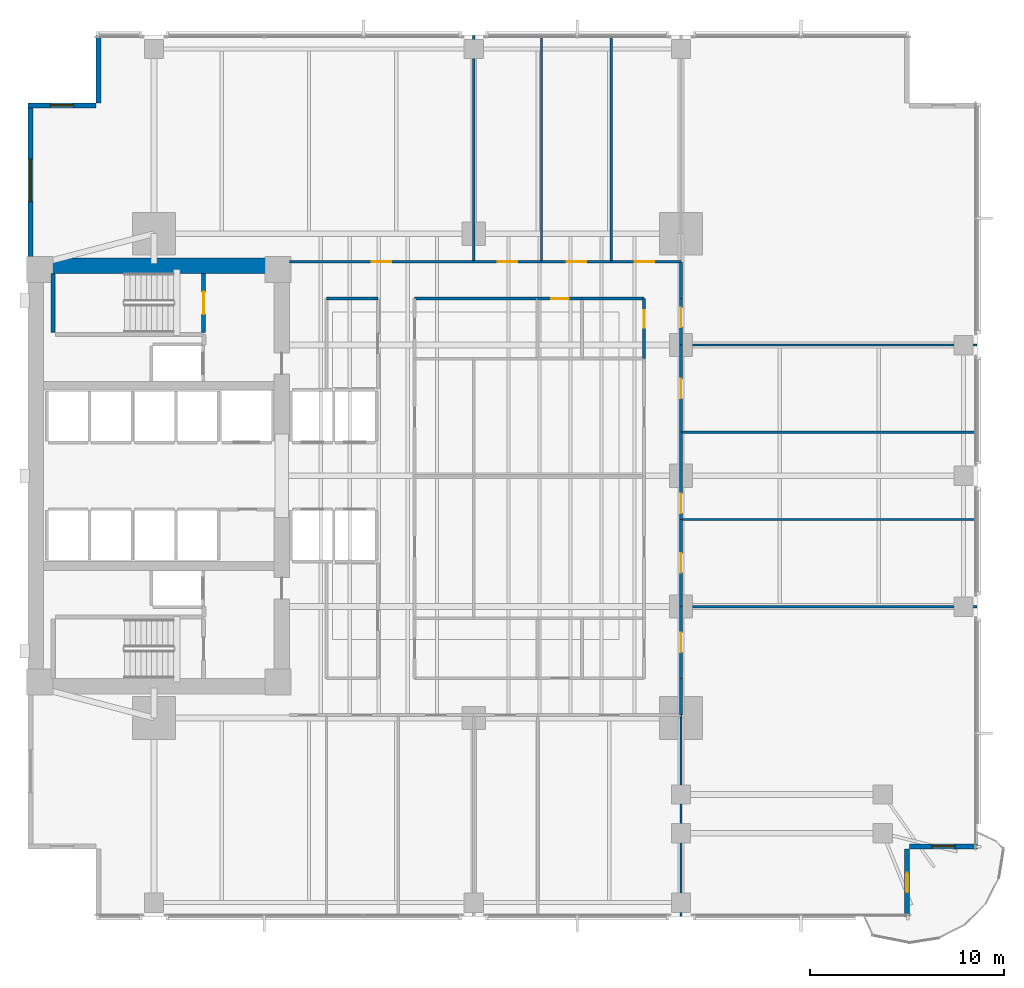
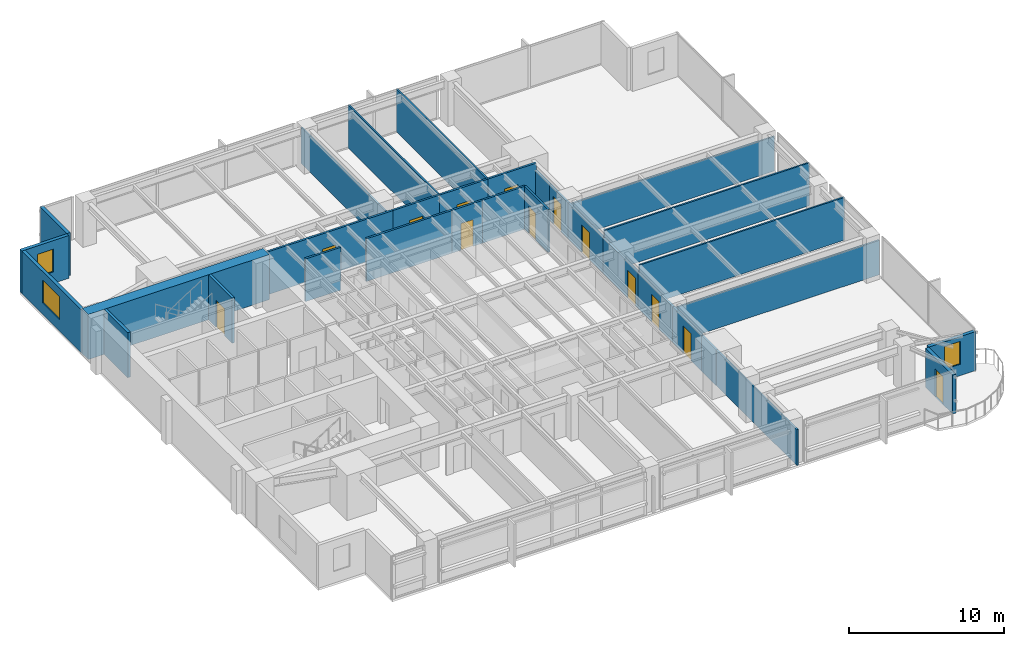
# One storey, part 10 of 16: 32 walls, 13 doors, 3 windows, 16 openings.
"""IFC4 building model written with IfcOpenShell, lengths in metres."""

from ifc_helpers import new_model, si_unit, direction, frame, frame_2d, origin, place, context, subcontext, project, spatial, rectangle, extrude, material, layer, layer_set, type_object, element, fill, save


model = new_model("IFC4")

# Units and contexts
model_context = context("Model", 3, precision=1e-05, world=origin(), true_north=direction((0.0, 1.0)))
body_context = subcontext(model_context, "Body", "Model", "MODEL_VIEW")
ifc_project = project(units=[si_unit("LENGTHUNIT", "METRE"), si_unit("AREAUNIT", "SQUARE_METRE"), si_unit("VOLUMEUNIT", "CUBIC_METRE"), si_unit("PLANEANGLEUNIT", "RADIAN"), si_unit("MASSUNIT", "GRAM", prefix="KILO")], contexts=[model_context])

# Site, building, storey
site_placement = place(None, origin())
site = spatial("IfcSite", under=ifc_project, at=site_placement, CompositionType="ELEMENT")
building_placement = place(site_placement, origin())
building = spatial("IfcBuilding", under=site, at=building_placement, Name="Kinhvarn Gate Tower", CompositionType="ELEMENT")
storey_placement = place(building_placement, frame((0.0, 0.0, 82.39990234375)))
storey = spatial("IfcBuildingStorey", under=building, at=storey_placement, Name="L21", CompositionType="ELEMENT", Elevation=82.39990234375)

# Wall
ifc_material_1 = material(Name="Concrete C70/85", Category="concrete")
ifc_layer_1 = layer(ifc_material_1, 0.800048828125)
ifc_layer_set_1 = layer_set([ifc_layer_1], Name="Concrete C70/85")
wall_type_1 = type_object("IfcWallType", Name="WL-CORE-800", PredefinedType="SHEAR", material=ifc_layer_set_1)
wall_1_placement = place(storey_placement, frame((4.5, 36.10009765625, 0.0), z_axis=(0.0, 0.0, 1.0), x_axis=(1.0, 0.0, 0.0)))
element("IfcWall", 1, at=wall_1_placement, inside=storey, type_object=wall_type_1, Name="Core North Shear Wall L21 800 mm", PredefinedType="SHEAR", context=body_context, shape_type="SweptSolid", body=[
    extrude(rectangle(XDim=13.5, YDim=0.800048828125, at=frame_2d((6.75, 0.0))), origin(), (0.0, 0.0, 1.0), 3.550048828125),
])

# Wall, opening, window
ifc_material_2 = material(Name="Fired architectural terracotta", Category="masonry")
ifc_layer_2 = layer(ifc_material_2, 0.25)
ifc_layer_set_2 = layer_set([ifc_layer_2], Name="Fired architectural terracotta")
wall_type_2 = type_object("IfcWallType", Name="WL-EXT-250", PredefinedType="SOLIDWALL", material=ifc_layer_set_2)
wall_2_placement = place(storey_placement, frame((4.625, 44.5, 0.0), z_axis=(0.0, 0.0, 1.0), x_axis=(0.0, -1.0, 0.0)))
wall_2 = element("IfcWall", 2, at=wall_2_placement, inside=storey, type_object=wall_type_2, Name="Exterior Solidwall Wall EW-250 (L21 West-North)", PredefinedType="SOLIDWALL", context=body_context, shape_type="SweptSolid", body=[
    extrude(rectangle(XDim=8.0, YDim=0.25, at=frame_2d((4.0, 0.0))), origin(), (0.0, 0.0, 1.0), 3.3701171875),
])
opening_1_placement = place(wall_2_placement, frame((2.89990234375, 0.0, 0.89990234375)))
opening_1 = element("IfcOpeningElement", 3, at=opening_1_placement, cuts=wall_2, Name="Opening WN-01", PredefinedType="OPENING", context=body_context, shape_type="SweptSolid", body=[
    extrude(rectangle(XDim=2.199951171875, YDim=1.800048828125, at=frame_2d((1.10009765625, 0.89990234375))), frame((0.0, 0.135009765625, 0.0), z_axis=(0.0, -1.0, 0.0), x_axis=(1.0, 0.0, 0.0)), (0.0, 0.0, 1.0), 0.27001953125),
])
ifc_material_3 = material(Name="Clear low-e double glazing", Category="glass")
window_type_1 = type_object("IfcWindowType", Name="WIN-RIB-2200", PartitioningType="SINGLE_PANEL", PredefinedType="WINDOW", material=ifc_material_3)
window_1_placement = place(opening_1_placement, origin())
window_1 = element("IfcWindow", 4, at=window_1_placement, inside=storey, type_object=window_type_1, Name="West Flank Double-Glazed Ribbon Window 2200x1800 mm (L21)", OverallHeight=1.800048828125, OverallWidth=2.199951171875, PartitioningType="SINGLE_PANEL", PredefinedType="WINDOW", context=body_context, shape_type="SweptSolid", body=[
    extrude(rectangle(XDim=2.199951171875, YDim=1.800048828125, at=frame_2d((1.10009765625, 0.89990234375))), frame((0.0, 0.030029296875, 0.0), z_axis=(0.0, -1.0, 0.0), x_axis=(1.0, 0.0, 0.0)), (0.0, 0.0, 1.0), 0.06005859375),
])
fill(opening_1, window_1)

# Wall, opening, door
wall_3_placement = place(storey_placement, frame((49.875, 2.5, 0.0), z_axis=(0.0, 0.0, 1.0), x_axis=(0.0, 1.0, 0.0)))
wall_3 = element("IfcWall", 5, at=wall_3_placement, inside=storey, type_object=wall_type_2, Name="Exterior Solidwall Wall EW-250 (L21 SE-Notch-Door)", PredefinedType="SOLIDWALL", context=body_context, shape_type="SweptSolid", body=[
    extrude(rectangle(XDim=3.5, YDim=0.25, at=frame_2d((1.75, 0.0))), origin(), (0.0, 0.0, 1.0), 3.070068359375),
])
opening_2_placement = place(wall_3_placement, frame((1.25, 0.0, 0.0)))
opening_2 = element("IfcOpeningElement", 6, at=opening_2_placement, cuts=wall_3, Name="Opening BD-01", PredefinedType="OPENING", context=body_context, shape_type="SweptSolid", body=[
    extrude(rectangle(XDim=1.0, YDim=2.199951171875, at=frame_2d((0.5, 1.10009765625))), frame((0.0, 0.135009765625, 0.0), z_axis=(0.0, -1.0, 0.0), x_axis=(1.0, 0.0, 0.0)), (0.0, 0.0, 1.0), 0.27001953125),
])
door_type_1 = type_object("IfcDoorType", Name="DR-BAL-1000", OperationType="NOTDEFINED", PredefinedType="DOOR", material=ifc_material_3)
door_1_placement = place(opening_2_placement, frame((1.0, 0.0, 0.0), z_axis=(0.0, 0.0, 1.0), x_axis=(-1.0, 0.0, 0.0)))
door_1 = element("IfcDoor", 7, at=door_1_placement, inside=storey, type_object=door_type_1, Name="S-Carve Balcony Door BD-01 (L21)", OperationType="SINGLE_SWING_LEFT", OverallHeight=2.199951171875, OverallWidth=1.0, PredefinedType="DOOR", context=body_context, shape_type="SweptSolid", body=[
    extrude(rectangle(XDim=1.0, YDim=2.199951171875, at=frame_2d((0.5, 1.10009765625))), frame((0.0, 0.02490234375, 0.0), z_axis=(0.0, -1.0, 0.0), x_axis=(1.0, 0.0, 0.0)), (0.0, 0.0, 1.0), 0.050048828125),
])
fill(opening_2, door_1)

# Wall, opening, window
wall_4_placement = place(storey_placement, frame((50.0, 6.125, 0.0), z_axis=(0.0, 0.0, 1.0), x_axis=(1.0, 0.0, 0.0)))
wall_4 = element("IfcWall", 8, at=wall_4_placement, inside=storey, type_object=wall_type_2, Name="Exterior Solidwall Wall EW-250 (L21 SE-Notch-Win)", PredefinedType="SOLIDWALL", context=body_context, shape_type="SweptSolid", body=[
    extrude(rectangle(XDim=3.5, YDim=0.25, at=frame_2d((1.75, 0.0))), origin(), (0.0, 0.0, 1.0), 3.070068359375),
])
opening_3_placement = place(wall_4_placement, frame((1.14990234375, 0.0, 0.89990234375)))
opening_3 = element("IfcOpeningElement", 9, at=opening_3_placement, cuts=wall_4, Name="Opening WN-02", PredefinedType="OPENING", context=body_context, shape_type="SweptSolid", body=[
    extrude(rectangle(XDim=1.199951171875, YDim=1.800048828125, at=frame_2d((0.60009765625, 0.89990234375))), frame((0.0, 0.135009765625, 0.0), z_axis=(0.0, -1.0, 0.0), x_axis=(1.0, 0.0, 0.0)), (0.0, 0.0, 1.0), 0.27001953125),
])
window_type_2 = type_object("IfcWindowType", Name="WIN-NTC-1200", PartitioningType="SINGLE_PANEL", PredefinedType="WINDOW", material=ifc_material_3)
window_2_placement = place(opening_3_placement, origin())
window_2 = element("IfcWindow", 10, at=window_2_placement, inside=storey, type_object=window_type_2, Name="Recessed Corner Notch Punched Window 1200x1800 mm (L21)", OverallHeight=1.800048828125, OverallWidth=1.199951171875, PartitioningType="SINGLE_PANEL", PredefinedType="WINDOW", context=body_context, shape_type="SweptSolid", body=[
    extrude(rectangle(XDim=1.199951171875, YDim=1.800048828125, at=frame_2d((0.60009765625, 0.89990234375))), frame((0.0, 0.030029296875, 0.0), z_axis=(0.0, -1.0, 0.0), x_axis=(1.0, 0.0, 0.0)), (0.0, 0.0, 1.0), 0.06005859375),
])
fill(opening_3, window_2)

# Wall
wall_5_placement = place(storey_placement, frame((8.125, 48.0, 0.0), z_axis=(0.0, 0.0, 1.0), x_axis=(0.0, -1.0, 0.0)))
element("IfcWall", 11, at=wall_5_placement, inside=storey, type_object=wall_type_2, Name="Exterior Solidwall Wall EW-250 (L21 NW-Notch-1)", PredefinedType="SOLIDWALL", context=body_context, shape_type="SweptSolid", body=[
    extrude(rectangle(XDim=3.5, YDim=0.25, at=frame_2d((1.75, 0.0))), origin(), (0.0, 0.0, 1.0), 3.3701171875),
])

# Wall, opening, window
wall_6_placement = place(storey_placement, frame((8.0, 44.375, 0.0), z_axis=(0.0, 0.0, 1.0), x_axis=(-1.0, 0.0, 0.0)))
wall_6 = element("IfcWall", 12, at=wall_6_placement, inside=storey, type_object=wall_type_2, Name="Exterior Solidwall Wall EW-250 (L21 NW-Notch-2)", PredefinedType="SOLIDWALL", context=body_context, shape_type="SweptSolid", body=[
    extrude(rectangle(XDim=3.5, YDim=0.25, at=frame_2d((1.75, 0.0))), origin(), (0.0, 0.0, 1.0), 3.3701171875),
])
opening_4_placement = place(wall_6_placement, frame((1.14990234375, 0.0, 0.89990234375)))
opening_4 = element("IfcOpeningElement", 13, at=opening_4_placement, cuts=wall_6, Name="Opening WN-02", PredefinedType="OPENING", context=body_context, shape_type="SweptSolid", body=[
    extrude(rectangle(XDim=1.199951171875, YDim=1.800048828125, at=frame_2d((0.60009765625, 0.89990234375))), frame((0.0, 0.135009765625, 0.0), z_axis=(0.0, -1.0, 0.0), x_axis=(1.0, 0.0, 0.0)), (0.0, 0.0, 1.0), 0.27001953125),
])
window_3_placement = place(opening_4_placement, origin())
window_3 = element("IfcWindow", 14, at=window_3_placement, inside=storey, type_object=window_type_2, Name="Recessed Corner Notch Punched Window 1200x1800 mm (L21)", OverallHeight=1.800048828125, OverallWidth=1.199951171875, PartitioningType="SINGLE_PANEL", PredefinedType="WINDOW", context=body_context, shape_type="SweptSolid", body=[
    extrude(rectangle(XDim=1.199951171875, YDim=1.800048828125, at=frame_2d((0.60009765625, 0.89990234375))), frame((0.0, 0.030029296875, 0.0), z_axis=(0.0, -1.0, 0.0), x_axis=(1.0, 0.0, 0.0)), (0.0, 0.0, 1.0), 0.06005859375),
])
fill(opening_4, window_3)

# Wall
ifc_material_4 = material(Name="Gypsum acoustic partition board")
ifc_layer_3 = layer(ifc_material_4, 0.14990234375)
ifc_layer_set_3 = layer_set([ifc_layer_3], Name="Gypsum acoustic partition board")
wall_type_3 = type_object("IfcWallType", Name="WL-PLM-150F", PredefinedType="PLUMBINGWALL", material=ifc_layer_set_3)
wall_7_placement = place(storey_placement, frame((33.10009765625, 34.39990234375, 0.0), z_axis=(0.0, 0.0, 1.0), x_axis=(1.0, 0.0, 0.0)))
element("IfcWall", 15, at=wall_7_placement, inside=storey, type_object=wall_type_3, Name="Interior Partition PLW-150F (L21)", PredefinedType="PLUMBINGWALL", context=body_context, shape_type="SweptSolid", body=[
    extrude(rectangle(XDim=3.199951171875, YDim=0.14990234375, at=frame_2d((1.60009765625, 0.0))), origin(), (0.0, 0.0, 1.0), 3.3701171875),
])

# Wall, opening, door
wall_8_placement = place(storey_placement, frame((30.800048828125, 34.39990234375, 0.0), z_axis=(0.0, 0.0, 1.0), x_axis=(1.0, 0.0, 0.0)))
wall_8 = element("IfcWall", 16, at=wall_8_placement, inside=storey, type_object=wall_type_3, Name="Interior Partition PLW-150F (L21)", PredefinedType="PLUMBINGWALL", context=body_context, shape_type="SweptSolid", body=[
    extrude(rectangle(XDim=2.300048828125, YDim=0.14990234375, at=frame_2d((1.14990234375, 0.0))), origin(), (0.0, 0.0, 1.0), 3.3701171875),
])
opening_5_placement = place(wall_8_placement, frame((0.699951171875, 0.0, 0.0)))
opening_5 = element("IfcOpeningElement", 17, at=opening_5_placement, cuts=wall_8, Name="Opening FD-04", PredefinedType="OPENING", context=body_context, shape_type="SweptSolid", body=[
    extrude(rectangle(XDim=0.89990234375, YDim=2.10009765625, at=frame_2d((0.449951171875, 1.050048828125))), frame((0.0, 0.0849609375, 0.0), z_axis=(0.0, -1.0, 0.0), x_axis=(1.0, 0.0, 0.0)), (0.0, 0.0, 1.0), 0.169921875),
])
ifc_material_5 = material(Name="Anodised aluminium AW-6063", Category="aluminium")
door_type_2 = type_object("IfcDoorType", Name="DR-FD-900", OperationType="NOTDEFINED", PredefinedType="DOOR", material=ifc_material_5)
door_2_placement = place(opening_5_placement, origin())
door_2 = element("IfcDoor", 18, at=door_2_placement, inside=storey, type_object=door_type_2, Name="Rated Riser & Service Closet Fire Door 900x2100 mm (L21)", OperationType="SINGLE_SWING_RIGHT", OverallHeight=2.10009765625, OverallWidth=0.89990234375, PredefinedType="DOOR", context=body_context, shape_type="SweptSolid", body=[
    extrude(rectangle(XDim=0.89990234375, YDim=2.10009765625, at=frame_2d((0.449951171875, 1.050048828125))), frame((0.0, 0.02490234375, 0.0), z_axis=(0.0, -1.0, 0.0), x_axis=(1.0, 0.0, 0.0)), (0.0, 0.0, 1.0), 0.050048828125),
])
fill(opening_5, door_2)

wall_9_placement = place(storey_placement, frame((36.300048828125, 31.300048828125, 0.0), z_axis=(0.0, 0.0, 1.0), x_axis=(0.0, 1.0, 0.0)))
wall_9 = element("IfcWall", 19, at=wall_9_placement, inside=storey, type_object=wall_type_3, Name="Interior Partition PLW-150F (L21)", PredefinedType="PLUMBINGWALL", context=body_context, shape_type="SweptSolid", body=[
    extrude(rectangle(XDim=3.099853515625, YDim=0.14990234375, at=frame_2d((1.5498046875, 0.0))), origin(), (0.0, 0.0, 1.0), 3.3701171875),
])
opening_6_placement = place(wall_9_placement, frame((1.594970703125, 0.0, 0.0)))
opening_6 = element("IfcOpeningElement", 20, at=opening_6_placement, cuts=wall_9, Name="Opening FD-04", PredefinedType="OPENING", context=body_context, shape_type="SweptSolid", body=[
    extrude(rectangle(XDim=0.89990234375, YDim=2.10009765625, at=frame_2d((0.449951171875, 1.050048828125))), frame((0.0, 0.0849609375, 0.0), z_axis=(0.0, -1.0, 0.0), x_axis=(1.0, 0.0, 0.0)), (0.0, 0.0, 1.0), 0.169921875),
])
door_3_placement = place(opening_6_placement, origin())
door_3 = element("IfcDoor", 21, at=door_3_placement, inside=storey, type_object=door_type_2, Name="Rated Riser & Service Closet Fire Door 900x2100 mm (L21)", OperationType="SINGLE_SWING_RIGHT", OverallHeight=2.10009765625, OverallWidth=0.89990234375, PredefinedType="DOOR", context=body_context, shape_type="SweptSolid", body=[
    extrude(rectangle(XDim=0.89990234375, YDim=2.10009765625, at=frame_2d((0.449951171875, 1.050048828125))), frame((0.0, 0.02490234375, 0.0), z_axis=(0.0, -1.0, 0.0), x_axis=(1.0, 0.0, 0.0)), (0.0, 0.0, 1.0), 0.050048828125),
])
fill(opening_6, door_3)

# Walls
ifc_layer_4 = layer(ifc_material_4, 0.1201171875)
ifc_layer_set_4 = layer_set([ifc_layer_4], Name="Gypsum acoustic partition board")
wall_type_4 = type_object("IfcWallType", Name="WL-PRT-120", PredefinedType="PARTITIONING", material=ifc_layer_set_4)
wall_10_placement = place(storey_placement, frame((38.199951171875, 2.510009765625, 0.0), z_axis=(0.0, 0.0, 1.0), x_axis=(0.0, 1.0, 0.0)))
element("IfcWall", 22, at=wall_10_placement, inside=storey, type_object=wall_type_4, Name="Interior Partition PW-120 (L21)", PredefinedType="PARTITIONING", context=body_context, shape_type="SweptSolid", body=[
    extrude(rectangle(XDim=10.389892578125, YDim=0.1201171875, at=frame_2d((5.19482421875, 0.0))), origin(), (0.0, 0.0, 1.0), 2.820068359375),
])
wall_11_placement = place(storey_placement, frame((27.5, 36.300048828125, 0.0), z_axis=(0.0, 0.0, 1.0), x_axis=(0.0, 1.0, 0.0)))
element("IfcWall", 23, at=wall_11_placement, inside=storey, type_object=wall_type_4, Name="Interior Partition PW-120 (L21)", PredefinedType="PARTITIONING", context=body_context, shape_type="SweptSolid", body=[
    extrude(rectangle(XDim=11.68994140625, YDim=0.1201171875, at=frame_2d((5.844970703125, 0.0))), origin(), (0.0, 0.0, 1.0), 2.820068359375),
])
for number, where, z_axis, x_axis, name in (
    (24, (31.0, 36.300048828125, 0.0), (0.0, 0.0, 1.0), (0.0, 1.0, 0.0), "Interior Partition PW-120 (L21)"),
    (25, (34.60009765625, 36.300048828125, 0.0), (0.0, 0.0, 1.0), (0.0, 1.0, 0.0), "Interior Partition PW-120 (L21)"),
):
    element("IfcWall", number, at=place(storey_placement, frame(where, z_axis=z_axis, x_axis=x_axis)), inside=storey, type_object=wall_type_4, Name=name, PredefinedType="PARTITIONING", context=body_context, shape_type="SweptSolid", body=[
        extrude(rectangle(XDim=11.68994140625, YDim=0.1201171875, at=frame_2d((5.844970703125, 0.0))), origin(), (0.0, 0.0, 1.0), 3.3701171875),
    ])
wall_12_placement = place(storey_placement, frame((38.199951171875, 18.5, 0.0), z_axis=(0.0, 0.0, 1.0), x_axis=(1.0, 0.0, 0.0)))
element("IfcWall", 26, at=wall_12_placement, inside=storey, type_object=wall_type_4, Name="Interior Partition PW-120 (L21)", PredefinedType="PARTITIONING", context=body_context, shape_type="SweptSolid", body=[
    extrude(rectangle(XDim=15.2900390625, YDim=0.1201171875, at=frame_2d((7.64501953125, 0.0))), origin(), (0.0, 0.0, 1.0), 2.72021484375),
])
for number, where, z_axis, x_axis, name in (
    (27, (38.199951171875, 23.0, 0.0), (0.0, 0.0, 1.0), (1.0, 0.0, 0.0), "Interior Partition PW-120 (L21)"),
    (28, (38.199951171875, 27.5, 0.0), (0.0, 0.0, 1.0), (1.0, 0.0, 0.0), "Interior Partition PW-120 (L21)"),
):
    element("IfcWall", number, at=place(storey_placement, frame(where, z_axis=z_axis, x_axis=x_axis)), inside=storey, type_object=wall_type_4, Name=name, PredefinedType="PARTITIONING", context=body_context, shape_type="SweptSolid", body=[
        extrude(rectangle(XDim=15.2900390625, YDim=0.1201171875, at=frame_2d((7.64501953125, 0.0))), origin(), (0.0, 0.0, 1.0), 3.3701171875),
    ])
wall_13_placement = place(storey_placement, frame((38.199951171875, 32.0, 0.0), z_axis=(0.0, 0.0, 1.0), x_axis=(1.0, 0.0, 0.0)))
element("IfcWall", 29, at=wall_13_placement, inside=storey, type_object=wall_type_4, Name="Interior Partition PW-120 (L21)", PredefinedType="PARTITIONING", context=body_context, shape_type="SweptSolid", body=[
    extrude(rectangle(XDim=15.2900390625, YDim=0.1201171875, at=frame_2d((7.64501953125, 0.0))), origin(), (0.0, 0.0, 1.0), 2.72021484375),
])
ifc_layer_5 = layer(ifc_material_4, 0.14990234375)
ifc_layer_set_5 = layer_set([ifc_layer_5], Name="Gypsum acoustic partition board")
wall_type_5 = type_object("IfcWallType", Name="WL-PRT-150F", PredefinedType="PARTITIONING", material=ifc_layer_set_5)
wall_14_placement = place(storey_placement, frame((38.199951171875, 12.89990234375, 0.0), z_axis=(0.0, 0.0, 1.0), x_axis=(0.0, 1.0, 0.0)))
element("IfcWall", 30, at=wall_14_placement, inside=storey, type_object=wall_type_5, Name="Interior Partition PW-150F (L21)", PredefinedType="PARTITIONING", context=body_context, shape_type="SweptSolid", body=[
    extrude(rectangle(XDim=1.900146484375, YDim=0.14990234375, at=frame_2d((0.9501953125, 0.0))), origin(), (0.0, 0.0, 1.0), 2.820068359375),
])
wall_15_placement = place(storey_placement, frame((19.89990234375, 34.39990234375, 0.0), z_axis=(0.0, 0.0, 1.0), x_axis=(1.0, 0.0, 0.0)))
element("IfcWall", 31, at=wall_15_placement, inside=storey, type_object=wall_type_5, Name="Interior Partition PW-150F (L21)", PredefinedType="PARTITIONING", context=body_context, shape_type="SweptSolid", body=[
    extrude(rectangle(XDim=2.650146484375, YDim=0.14990234375, at=frame_2d((1.3251953125, 0.0))), origin(), (0.0, 0.0, 1.0), 3.3701171875),
])
wall_16_placement = place(storey_placement, frame((24.449951171875, 34.39990234375, 0.0), z_axis=(0.0, 0.0, 1.0), x_axis=(1.0, 0.0, 0.0)))
element("IfcWall", 32, at=wall_16_placement, inside=storey, type_object=wall_type_5, Name="Interior Partition PW-150F (L21)", PredefinedType="PARTITIONING", context=body_context, shape_type="SweptSolid", body=[
    extrude(rectangle(XDim=6.35009765625, YDim=0.14990234375, at=frame_2d((3.175048828125, 0.0))), origin(), (0.0, 0.0, 1.0), 3.3701171875),
])

# Wall, opening, door
wall_17_placement = place(storey_placement, frame((18.0, 36.300048828125, 0.0), z_axis=(0.0, 0.0, 1.0), x_axis=(1.0, 0.0, 0.0)))
wall_17 = element("IfcWall", 33, at=wall_17_placement, inside=storey, type_object=wall_type_5, Name="Interior Partition PW-150F (L21)", PredefinedType="PARTITIONING", context=body_context, shape_type="SweptSolid", body=[
    extrude(rectangle(XDim=9.5, YDim=0.14990234375, at=frame_2d((4.75, 0.0))), origin(), (0.0, 0.0, 1.0), 3.3701171875),
])
opening_7_placement = place(wall_17_placement, frame((4.25, 0.0, 0.0)))
opening_7 = element("IfcOpeningElement", 34, at=opening_7_placement, cuts=wall_17, Name="Opening ID-02", PredefinedType="OPENING", context=body_context, shape_type="SweptSolid", body=[
    extrude(rectangle(XDim=1.0, YDim=2.14990234375, at=frame_2d((0.5, 1.074951171875))), frame((0.0, 0.0849609375, 0.0), z_axis=(0.0, -1.0, 0.0), x_axis=(1.0, 0.0, 0.0)), (0.0, 0.0, 1.0), 0.169921875),
])
door_type_3 = type_object("IfcDoorType", Name="DR-INT-1000", OperationType="NOTDEFINED", PredefinedType="DOOR", material=ifc_material_5)
door_4_placement = place(opening_7_placement, origin())
door_4 = element("IfcDoor", 35, at=door_4_placement, inside=storey, type_object=door_type_3, Name="Standard Office & Meeting Room Door 1000x2150 mm (L21)", OperationType="SINGLE_SWING_LEFT", OverallHeight=2.14990234375, OverallWidth=1.0, PredefinedType="DOOR", context=body_context, shape_type="SweptSolid", body=[
    extrude(rectangle(XDim=1.0, YDim=2.14990234375, at=frame_2d((0.5, 1.074951171875))), frame((0.0, 0.02490234375, 0.0), z_axis=(0.0, -1.0, 0.0), x_axis=(1.0, 0.0, 0.0)), (0.0, 0.0, 1.0), 0.050048828125),
])
fill(opening_7, door_4)

wall_18_placement = place(storey_placement, frame((27.5, 36.300048828125, 0.0), z_axis=(0.0, 0.0, 1.0), x_axis=(1.0, 0.0, 0.0)))
wall_18 = element("IfcWall", 36, at=wall_18_placement, inside=storey, type_object=wall_type_5, Name="Interior Partition PW-150F (L21)", PredefinedType="PARTITIONING", context=body_context, shape_type="SweptSolid", body=[
    extrude(rectangle(XDim=3.5, YDim=0.14990234375, at=frame_2d((1.75, 0.0))), origin(), (0.0, 0.0, 1.0), 3.3701171875),
])
opening_8_placement = place(wall_18_placement, frame((1.25, 0.0, 0.0)))
opening_8 = element("IfcOpeningElement", 37, at=opening_8_placement, cuts=wall_18, Name="Opening ID-02", PredefinedType="OPENING", context=body_context, shape_type="SweptSolid", body=[
    extrude(rectangle(XDim=1.0, YDim=2.14990234375, at=frame_2d((0.5, 1.074951171875))), frame((0.0, 0.0849609375, 0.0), z_axis=(0.0, -1.0, 0.0), x_axis=(1.0, 0.0, 0.0)), (0.0, 0.0, 1.0), 0.169921875),
])
door_5_placement = place(opening_8_placement, origin())
door_5 = element("IfcDoor", 38, at=door_5_placement, inside=storey, type_object=door_type_3, Name="Standard Office & Meeting Room Door 1000x2150 mm (L21)", OperationType="SINGLE_SWING_RIGHT", OverallHeight=2.14990234375, OverallWidth=1.0, PredefinedType="DOOR", context=body_context, shape_type="SweptSolid", body=[
    extrude(rectangle(XDim=1.0, YDim=2.14990234375, at=frame_2d((0.5, 1.074951171875))), frame((0.0, 0.02490234375, 0.0), z_axis=(0.0, -1.0, 0.0), x_axis=(1.0, 0.0, 0.0)), (0.0, 0.0, 1.0), 0.050048828125),
])
fill(opening_8, door_5)

wall_19_placement = place(storey_placement, frame((31.0, 36.300048828125, 0.0), z_axis=(0.0, 0.0, 1.0), x_axis=(1.0, 0.0, 0.0)))
wall_19 = element("IfcWall", 39, at=wall_19_placement, inside=storey, type_object=wall_type_5, Name="Interior Partition PW-150F (L21)", PredefinedType="PARTITIONING", context=body_context, shape_type="SweptSolid", body=[
    extrude(rectangle(XDim=3.60009765625, YDim=0.14990234375, at=frame_2d((1.800048828125, 0.0))), origin(), (0.0, 0.0, 1.0), 3.3701171875),
])
opening_9_placement = place(wall_19_placement, frame((1.300048828125, 0.0, 0.0)))
opening_9 = element("IfcOpeningElement", 40, at=opening_9_placement, cuts=wall_19, Name="Opening ID-02", PredefinedType="OPENING", context=body_context, shape_type="SweptSolid", body=[
    extrude(rectangle(XDim=1.0, YDim=2.14990234375, at=frame_2d((0.5, 1.074951171875))), frame((0.0, 0.0849609375, 0.0), z_axis=(0.0, -1.0, 0.0), x_axis=(1.0, 0.0, 0.0)), (0.0, 0.0, 1.0), 0.169921875),
])
door_6_placement = place(opening_9_placement, origin())
door_6 = element("IfcDoor", 41, at=door_6_placement, inside=storey, type_object=door_type_3, Name="Standard Office & Meeting Room Door 1000x2150 mm (L21)", OperationType="SINGLE_SWING_LEFT", OverallHeight=2.14990234375, OverallWidth=1.0, PredefinedType="DOOR", context=body_context, shape_type="SweptSolid", body=[
    extrude(rectangle(XDim=1.0, YDim=2.14990234375, at=frame_2d((0.5, 1.074951171875))), frame((0.0, 0.02490234375, 0.0), z_axis=(0.0, -1.0, 0.0), x_axis=(1.0, 0.0, 0.0)), (0.0, 0.0, 1.0), 0.050048828125),
])
fill(opening_9, door_6)

wall_20_placement = place(storey_placement, frame((34.60009765625, 36.300048828125, 0.0), z_axis=(0.0, 0.0, 1.0), x_axis=(1.0, 0.0, 0.0)))
wall_20 = element("IfcWall", 42, at=wall_20_placement, inside=storey, type_object=wall_type_5, Name="Interior Partition PW-150F (L21)", PredefinedType="PARTITIONING", context=body_context, shape_type="SweptSolid", body=[
    extrude(rectangle(XDim=3.599853515625, YDim=0.14990234375, at=frame_2d((1.7998046875, 0.0))), origin(), (0.0, 0.0, 1.0), 3.3701171875),
])
opening_10_placement = place(wall_20_placement, frame((1.22509765625, 0.0, 0.0)))
opening_10 = element("IfcOpeningElement", 43, at=opening_10_placement, cuts=wall_20, Name="Opening ID-02", PredefinedType="OPENING", context=body_context, shape_type="SweptSolid", body=[
    extrude(rectangle(XDim=1.0, YDim=2.14990234375, at=frame_2d((0.5, 1.074951171875))), frame((0.0, 0.0849609375, 0.0), z_axis=(0.0, -1.0, 0.0), x_axis=(1.0, 0.0, 0.0)), (0.0, 0.0, 1.0), 0.169921875),
])
door_7_placement = place(opening_10_placement, origin())
door_7 = element("IfcDoor", 44, at=door_7_placement, inside=storey, type_object=door_type_3, Name="Standard Office & Meeting Room Door 1000x2150 mm (L21)", OperationType="SINGLE_SWING_RIGHT", OverallHeight=2.14990234375, OverallWidth=1.0, PredefinedType="DOOR", context=body_context, shape_type="SweptSolid", body=[
    extrude(rectangle(XDim=1.0, YDim=2.14990234375, at=frame_2d((0.5, 1.074951171875))), frame((0.0, 0.02490234375, 0.0), z_axis=(0.0, -1.0, 0.0), x_axis=(1.0, 0.0, 0.0)), (0.0, 0.0, 1.0), 0.050048828125),
])
fill(opening_10, door_7)

# Wall
wall_21_placement = place(storey_placement, frame((38.199951171875, 34.39990234375, 0.0), z_axis=(0.0, 0.0, 1.0), x_axis=(0.0, 1.0, 0.0)))
element("IfcWall", 45, at=wall_21_placement, inside=storey, type_object=wall_type_5, Name="Interior Partition PW-150F (L21)", PredefinedType="PARTITIONING", context=body_context, shape_type="SweptSolid", body=[
    extrude(rectangle(XDim=1.900146484375, YDim=0.14990234375, at=frame_2d((0.9501953125, 0.0))), origin(), (0.0, 0.0, 1.0), 2.820068359375),
])

# Wall, opening, door
wall_22_placement = place(storey_placement, frame((38.199951171875, 14.800048828125, 0.0), z_axis=(0.0, 0.0, 1.0), x_axis=(0.0, 1.0, 0.0)))
wall_22 = element("IfcWall", 46, at=wall_22_placement, inside=storey, type_object=wall_type_5, Name="Interior Partition PW-150F (L21)", PredefinedType="PARTITIONING", context=body_context, shape_type="SweptSolid", body=[
    extrude(rectangle(XDim=3.699951171875, YDim=0.14990234375, at=frame_2d((1.85009765625, 0.0))), origin(), (0.0, 0.0, 1.0), 2.820068359375),
])
opening_11_placement = place(wall_22_placement, frame((1.35009765625, 0.0, 0.0)))
opening_11 = element("IfcOpeningElement", 47, at=opening_11_placement, cuts=wall_22, Name="Opening ID-02", PredefinedType="OPENING", context=body_context, shape_type="SweptSolid", body=[
    extrude(rectangle(XDim=1.0, YDim=2.14990234375, at=frame_2d((0.5, 1.074951171875))), frame((0.0, 0.0849609375, 0.0), z_axis=(0.0, -1.0, 0.0), x_axis=(1.0, 0.0, 0.0)), (0.0, 0.0, 1.0), 0.169921875),
])
door_8_placement = place(opening_11_placement, origin())
door_8 = element("IfcDoor", 48, at=door_8_placement, inside=storey, type_object=door_type_3, Name="Standard Office & Meeting Room Door 1000x2150 mm (L21)", OperationType="SINGLE_SWING_LEFT", OverallHeight=2.14990234375, OverallWidth=1.0, PredefinedType="DOOR", context=body_context, shape_type="SweptSolid", body=[
    extrude(rectangle(XDim=1.0, YDim=2.14990234375, at=frame_2d((0.5, 1.074951171875))), frame((0.0, 0.02490234375, 0.0), z_axis=(0.0, -1.0, 0.0), x_axis=(1.0, 0.0, 0.0)), (0.0, 0.0, 1.0), 0.050048828125),
])
fill(opening_11, door_8)

wall_23_placement = place(storey_placement, frame((38.199951171875, 18.5, 0.0), z_axis=(0.0, 0.0, 1.0), x_axis=(0.0, 1.0, 0.0)))
wall_23 = element("IfcWall", 49, at=wall_23_placement, inside=storey, type_object=wall_type_5, Name="Interior Partition PW-150F (L21)", PredefinedType="PARTITIONING", context=body_context, shape_type="SweptSolid", body=[
    extrude(rectangle(XDim=4.5, YDim=0.14990234375, at=frame_2d((2.25, 0.0))), origin(), (0.0, 0.0, 1.0), 2.820068359375),
])
opening_12_placement = place(wall_23_placement, frame((1.75, 0.0, 0.0)))
opening_12 = element("IfcOpeningElement", 50, at=opening_12_placement, cuts=wall_23, Name="Opening ID-02", PredefinedType="OPENING", context=body_context, shape_type="SweptSolid", body=[
    extrude(rectangle(XDim=1.0, YDim=2.14990234375, at=frame_2d((0.5, 1.074951171875))), frame((0.0, 0.0849609375, 0.0), z_axis=(0.0, -1.0, 0.0), x_axis=(1.0, 0.0, 0.0)), (0.0, 0.0, 1.0), 0.169921875),
])
door_9_placement = place(opening_12_placement, origin())
door_9 = element("IfcDoor", 51, at=door_9_placement, inside=storey, type_object=door_type_3, Name="Standard Office & Meeting Room Door 1000x2150 mm (L21)", OperationType="SINGLE_SWING_RIGHT", OverallHeight=2.14990234375, OverallWidth=1.0, PredefinedType="DOOR", context=body_context, shape_type="SweptSolid", body=[
    extrude(rectangle(XDim=1.0, YDim=2.14990234375, at=frame_2d((0.5, 1.074951171875))), frame((0.0, 0.02490234375, 0.0), z_axis=(0.0, -1.0, 0.0), x_axis=(1.0, 0.0, 0.0)), (0.0, 0.0, 1.0), 0.050048828125),
])
fill(opening_12, door_9)

wall_24_placement = place(storey_placement, frame((38.199951171875, 23.0, 0.0), z_axis=(0.0, 0.0, 1.0), x_axis=(0.0, 1.0, 0.0)))
wall_24 = element("IfcWall", 52, at=wall_24_placement, inside=storey, type_object=wall_type_5, Name="Interior Partition PW-150F (L21)", PredefinedType="PARTITIONING", context=body_context, shape_type="SweptSolid", body=[
    extrude(rectangle(XDim=4.5, YDim=0.14990234375, at=frame_2d((2.25, 0.0))), origin(), (0.0, 0.0, 1.0), 2.820068359375),
])
opening_13_placement = place(wall_24_placement, frame((0.330078125, 0.0, 0.0)))
opening_13 = element("IfcOpeningElement", 53, at=opening_13_placement, cuts=wall_24, Name="Opening ID-02", PredefinedType="OPENING", context=body_context, shape_type="SweptSolid", body=[
    extrude(rectangle(XDim=1.0, YDim=2.14990234375, at=frame_2d((0.5, 1.074951171875))), frame((0.0, 0.0849609375, 0.0), z_axis=(0.0, -1.0, 0.0), x_axis=(1.0, 0.0, 0.0)), (0.0, 0.0, 1.0), 0.169921875),
])
door_10_placement = place(opening_13_placement, origin())
door_10 = element("IfcDoor", 54, at=door_10_placement, inside=storey, type_object=door_type_3, Name="Standard Office & Meeting Room Door 1000x2150 mm (L21)", OperationType="SINGLE_SWING_LEFT", OverallHeight=2.14990234375, OverallWidth=1.0, PredefinedType="DOOR", context=body_context, shape_type="SweptSolid", body=[
    extrude(rectangle(XDim=1.0, YDim=2.14990234375, at=frame_2d((0.5, 1.074951171875))), frame((0.0, 0.02490234375, 0.0), z_axis=(0.0, -1.0, 0.0), x_axis=(1.0, 0.0, 0.0)), (0.0, 0.0, 1.0), 0.050048828125),
])
fill(opening_13, door_10)

wall_25_placement = place(storey_placement, frame((38.199951171875, 27.5, 0.0), z_axis=(0.0, 0.0, 1.0), x_axis=(0.0, 1.0, 0.0)))
wall_25 = element("IfcWall", 55, at=wall_25_placement, inside=storey, type_object=wall_type_5, Name="Interior Partition PW-150F (L21)", PredefinedType="PARTITIONING", context=body_context, shape_type="SweptSolid", body=[
    extrude(rectangle(XDim=4.5, YDim=0.14990234375, at=frame_2d((2.25, 0.0))), origin(), (0.0, 0.0, 1.0), 2.820068359375),
])
opening_14_placement = place(wall_25_placement, frame((1.75, 0.0, 0.0)))
opening_14 = element("IfcOpeningElement", 56, at=opening_14_placement, cuts=wall_25, Name="Opening ID-02", PredefinedType="OPENING", context=body_context, shape_type="SweptSolid", body=[
    extrude(rectangle(XDim=1.0, YDim=2.14990234375, at=frame_2d((0.5, 1.074951171875))), frame((0.0, 0.0849609375, 0.0), z_axis=(0.0, -1.0, 0.0), x_axis=(1.0, 0.0, 0.0)), (0.0, 0.0, 1.0), 0.169921875),
])
door_11_placement = place(opening_14_placement, origin())
door_11 = element("IfcDoor", 57, at=door_11_placement, inside=storey, type_object=door_type_3, Name="Standard Office & Meeting Room Door 1000x2150 mm (L21)", OperationType="SINGLE_SWING_RIGHT", OverallHeight=2.14990234375, OverallWidth=1.0, PredefinedType="DOOR", context=body_context, shape_type="SweptSolid", body=[
    extrude(rectangle(XDim=1.0, YDim=2.14990234375, at=frame_2d((0.5, 1.074951171875))), frame((0.0, 0.02490234375, 0.0), z_axis=(0.0, -1.0, 0.0), x_axis=(1.0, 0.0, 0.0)), (0.0, 0.0, 1.0), 0.050048828125),
])
fill(opening_14, door_11)

wall_26_placement = place(storey_placement, frame((38.199951171875, 32.0, 0.0), z_axis=(0.0, 0.0, 1.0), x_axis=(0.0, 1.0, 0.0)))
wall_26 = element("IfcWall", 58, at=wall_26_placement, inside=storey, type_object=wall_type_5, Name="Interior Partition PW-150F (L21)", PredefinedType="PARTITIONING", context=body_context, shape_type="SweptSolid", body=[
    extrude(rectangle(XDim=2.39990234375, YDim=0.14990234375, at=frame_2d((1.199951171875, 0.0))), origin(), (0.0, 0.0, 1.0), 2.820068359375),
])
opening_15_placement = place(wall_26_placement, frame((0.923095703125, 0.0, 0.0)))
opening_15 = element("IfcOpeningElement", 59, at=opening_15_placement, cuts=wall_26, Name="Opening ID-02", PredefinedType="OPENING", context=body_context, shape_type="SweptSolid", body=[
    extrude(rectangle(XDim=1.0, YDim=2.14990234375, at=frame_2d((0.5, 1.074951171875))), frame((0.0, 0.0849609375, 0.0), z_axis=(0.0, -1.0, 0.0), x_axis=(1.0, 0.0, 0.0)), (0.0, 0.0, 1.0), 0.169921875),
])
door_12_placement = place(opening_15_placement, origin())
door_12 = element("IfcDoor", 60, at=door_12_placement, inside=storey, type_object=door_type_3, Name="Standard Office & Meeting Room Door 1000x2150 mm (L21)", OperationType="SINGLE_SWING_LEFT", OverallHeight=2.14990234375, OverallWidth=1.0, PredefinedType="DOOR", context=body_context, shape_type="SweptSolid", body=[
    extrude(rectangle(XDim=1.0, YDim=2.14990234375, at=frame_2d((0.5, 1.074951171875))), frame((0.0, 0.02490234375, 0.0), z_axis=(0.0, -1.0, 0.0), x_axis=(1.0, 0.0, 0.0)), (0.0, 0.0, 1.0), 0.050048828125),
])
fill(opening_15, door_12)

# Wall
ifc_material_6 = material(Name="Concrete C40/50", Category="concrete")
ifc_layer_6 = layer(ifc_material_6, 0.199951171875)
ifc_layer_set_6 = layer_set([ifc_layer_6], Name="Concrete C40/50")
wall_type_6 = type_object("IfcWallType", Name="WL-SHF-200", PredefinedType="SOLIDWALL", material=ifc_layer_set_6)
wall_27_placement = place(storey_placement, frame((5.7900390625, 32.64990234375, 0.0), z_axis=(0.0, 0.0, 1.0), x_axis=(0.0, 1.0, 0.0)))
element("IfcWall", 61, at=wall_27_placement, inside=storey, type_object=wall_type_6, Name="Stair ST2 West Shaft Wall (L21)", PredefinedType="SOLIDWALL", context=body_context, shape_type="SweptSolid", body=[
    extrude(rectangle(XDim=3.050048828125, YDim=0.199951171875, at=frame_2d((1.52490234375, 0.0))), origin(), (0.0, 0.0, 1.0), 3.550048828125),
])

# Wall, opening, door
wall_28_placement = place(storey_placement, frame((13.56005859375, 32.64990234375, 0.0), z_axis=(0.0, 0.0, 1.0), x_axis=(0.0, 1.0, 0.0)))
wall_28 = element("IfcWall", 62, at=wall_28_placement, inside=storey, type_object=wall_type_6, Name="Stair ST2 East Entry Wall (L21)", PredefinedType="SOLIDWALL", context=body_context, shape_type="SweptSolid", body=[
    extrude(rectangle(XDim=3.050048828125, YDim=0.199951171875, at=frame_2d((1.52490234375, 0.0))), origin(), (0.0, 0.0, 1.0), 3.550048828125),
])
opening_16_placement = place(wall_28_placement, frame((0.949951171875, 0.0, 0.0)))
opening_16 = element("IfcOpeningElement", 63, at=opening_16_placement, cuts=wall_28, Name="Opening FD-01", PredefinedType="OPENING", context=body_context, shape_type="SweptSolid", body=[
    extrude(rectangle(XDim=1.14990234375, YDim=2.14990234375, at=frame_2d((0.574951171875, 1.074951171875))), frame((0.0, 0.10986328125, 0.0), z_axis=(0.0, -1.0, 0.0), x_axis=(1.0, 0.0, 0.0)), (0.0, 0.0, 1.0), 0.219970703125),
])
door_type_4 = type_object("IfcDoorType", Name="DR-ST-1150", OperationType="NOTDEFINED", PredefinedType="DOOR", material=ifc_material_5)
door_13_placement = place(opening_16_placement, origin())
door_13 = element("IfcDoor", 64, at=door_13_placement, inside=storey, type_object=door_type_4, Name="Exit Stair ST2 Fire Door (L21)", OperationType="SINGLE_SWING_RIGHT", OverallHeight=2.14990234375, OverallWidth=1.14990234375, PredefinedType="DOOR", context=body_context, shape_type="SweptSolid", body=[
    extrude(rectangle(XDim=1.14990234375, YDim=2.14990234375, at=frame_2d((0.574951171875, 1.074951171875))), frame((0.0, 0.02490234375, 0.0), z_axis=(0.0, -1.0, 0.0), x_axis=(1.0, 0.0, 0.0)), (0.0, 0.0, 1.0), 0.050048828125),
])
fill(opening_16, door_13)

save(model, "model.ifc")
